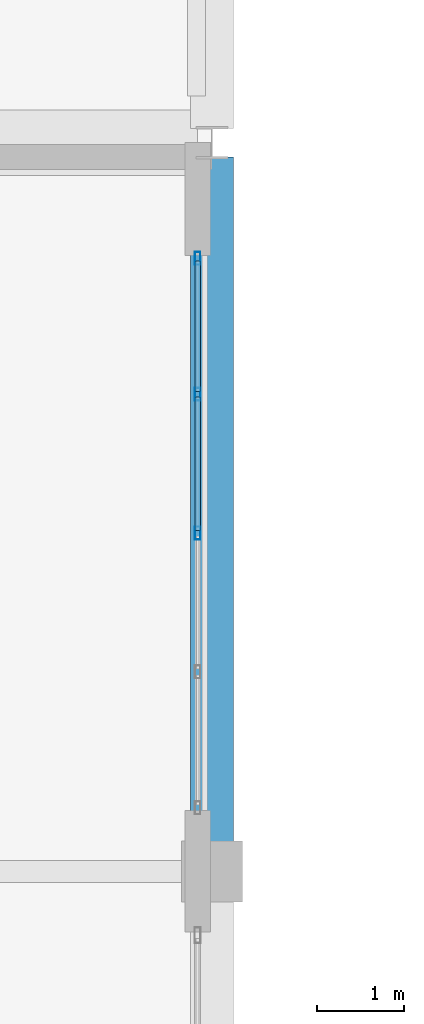
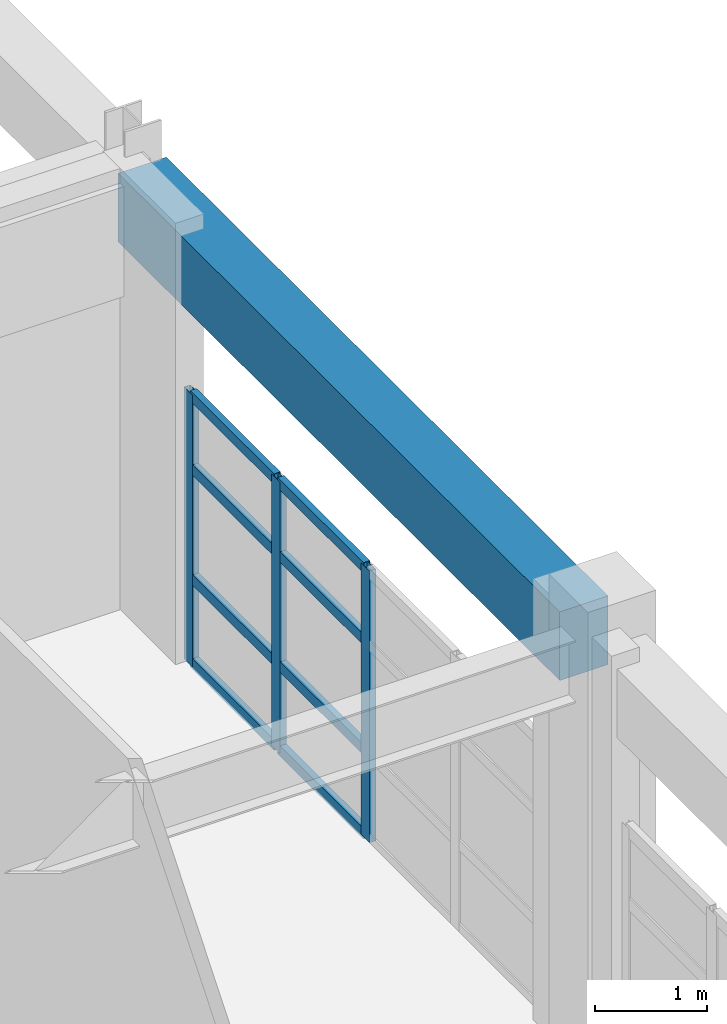
# One storey, part 22 of 103: 11 members, 1 beam, 1 element without a shape of its own.
"""IFC4 building model written with IfcOpenShell, lengths in metres."""

from ifc_helpers import new_model, si_unit, direction, frame, origin, origin_2d, place, context, subcontext, project, spatial, rectangle, hollow_rectangle, extrude, material, layer, layer_set, material_profile, profile_set, type_object, element, aggregate, save


model = new_model("IFC4")

# Units and contexts
model_context = context("Model", 3, precision=1e-05, world=origin(), true_north=direction((0.0, 1.0)))
body_context = subcontext(model_context, "Body", "Model", "MODEL_VIEW")
ifc_project = project(units=[si_unit("LENGTHUNIT", "METRE"), si_unit("AREAUNIT", "SQUARE_METRE"), si_unit("VOLUMEUNIT", "CUBIC_METRE"), si_unit("PLANEANGLEUNIT", "RADIAN"), si_unit("MASSUNIT", "GRAM", prefix="KILO")], contexts=[model_context])

# Site, building, storey
site_placement = place(None, origin())
site = spatial("IfcSite", under=ifc_project, at=site_placement, CompositionType="ELEMENT")
building_placement = place(site_placement, origin())
building = spatial("IfcBuilding", under=site, at=building_placement, Name="Quendrovan Civic Courthouse", CompositionType="ELEMENT")
storey_placement = place(building_placement, frame((0.0, 0.0, 15.300048828125)))
storey = spatial("IfcBuildingStorey", under=building, at=storey_placement, Name="L04", CompositionType="ELEMENT", Elevation=15.300048828125)

# Beam
ifc_material_1 = material(Name="Concrete C40/50", Category="concrete")
ifc_material_profile_1 = material_profile(ifc_material_1, rectangle(XDim=0.5, YDim=0.75, at=origin_2d()), Name="RC-BM-500x750")
ifc_profile_set_1 = profile_set([ifc_material_profile_1], Name="Concrete C40/50")
beam_type = type_object("IfcBeamType", Name="BM-RC750", PredefinedType="SPANDREL", material=ifc_profile_set_1)
beam_placement = place(storey_placement, frame((16.800048828125, 65.1298828125, 4.284912109375), z_axis=(0.0, 1.0, 0.0), x_axis=(-1.0, 0.0, 0.0)))
element("IfcBeam", 1, at=beam_placement, inside=storey, type_object=beam_type, Name="L04 Girder Y0959", PredefinedType="SPANDREL", context=body_context, shape_type="SweptSolid", body=[
    extrude(rectangle(XDim=0.5, YDim=0.75, at=origin_2d()), origin(), (0.0, 0.0, 1.0), 7.904052734375),
])

# Curtain wall, members
ifc_material_2 = material(Name="Bronze anodised aluminium and low-E glass", Category="aluminium")
ifc_layer = layer(ifc_material_2, 0.179931640625, Name="Bronze anodised aluminium and low-E glass")
ifc_layer_set = layer_set([ifc_layer], Name="Bronze anodised aluminium and low-E glass")
curtain_wall_type = type_object("IfcCurtainWallType", Name="CW-U64x30", PredefinedType="USERDEFINED", material=ifc_layer_set)
curtain_wall_placement = place(storey_placement, origin())
curtain_wall = element("IfcCurtainWall", 2, at=curtain_wall_placement, inside=storey, type_object=curtain_wall_type, Name="L04 Unitised Hurricane Curtain Wall CW-149", ObjectType="UNITISED CURTAIN WALL", PredefinedType="USERDEFINED")
ifc_material_3 = material(Name="Bronze anodised aluminium", Category="aluminium")
ifc_material_profile_2 = material_profile(ifc_material_3, hollow_rectangle(XDim=0.06494140625, YDim=0.14990234375, WallThickness=0.00390625, at=origin_2d()), Name="CW-MULL-65x150")
ifc_profile_set_2 = profile_set([ifc_material_profile_2], Name="Bronze anodised aluminium")
member_type_1 = type_object("IfcMemberType", Name="CW-MULL-B", PredefinedType="MULLION", material=ifc_profile_set_2)
member_1_placement = place(storey_placement, frame((16.635009765625, 71.867431640625, 0.0), z_axis=(0.0, 0.0, 1.0), x_axis=(1.0, 0.0, 0.0)))
member_1 = element("IfcMember", 3, at=member_1_placement, type_object=member_type_1, Name="CW-149 mullion 1", PredefinedType="MULLION", context=body_context, shape_type="SweptSolid", body=[
    extrude(hollow_rectangle(XDim=0.06494140625, YDim=0.14990234375, WallThickness=0.00390625, at=origin_2d()), origin(), (0.0, 0.0, 1.0), 2.969970703125),
])
member_2_placement = place(storey_placement, frame((16.635009765625, 70.300048828125, 0.0), z_axis=(0.0, 0.0, 1.0), x_axis=(1.0, 0.0, 0.0)))
member_2 = element("IfcMember", 4, at=member_2_placement, type_object=member_type_1, Name="CW-149 mullion 2", PredefinedType="MULLION", context=body_context, shape_type="SweptSolid", body=[
    extrude(hollow_rectangle(XDim=0.06494140625, YDim=0.14990234375, WallThickness=0.00390625, at=origin_2d()), origin(), (0.0, 0.0, 1.0), 2.969970703125),
])
member_3_placement = place(storey_placement, frame((16.635009765625, 68.699951171875, 0.0), z_axis=(0.0, 0.0, 1.0), x_axis=(1.0, 0.0, 0.0)))
member_3 = element("IfcMember", 5, at=member_3_placement, type_object=member_type_1, Name="CW-149 mullion 3", PredefinedType="MULLION", context=body_context, shape_type="SweptSolid", body=[
    extrude(hollow_rectangle(XDim=0.06494140625, YDim=0.14990234375, WallThickness=0.00390625, at=origin_2d()), origin(), (0.0, 0.0, 1.0), 2.969970703125),
])
ifc_material_profile_3 = material_profile(ifc_material_3, hollow_rectangle(XDim=0.06494140625, YDim=0.114990234375, WallThickness=0.00390625, at=origin_2d()), Name="CW-TRAN-65x115")
ifc_profile_set_3 = profile_set([ifc_material_profile_3], Name="Bronze anodised aluminium")
member_type_2 = type_object("IfcMemberType", Name="CW-TRAN-B", PredefinedType="USERDEFINED", material=ifc_profile_set_3)
member_4_placement = place(storey_placement, frame((16.635009765625, 71.8349609375, 0.032470703125), z_axis=(0.0, -1.0, 0.0), x_axis=(1.0, 0.0, 0.0)))
member_4 = element("IfcMember", 6, at=member_4_placement, type_object=member_type_2, Name="CW-149 transom 1.1", ObjectType="TRANSOM", PredefinedType="USERDEFINED", context=body_context, shape_type="SweptSolid", body=[
    extrude(hollow_rectangle(XDim=0.06494140625, YDim=0.114990234375, WallThickness=0.00390625, at=origin_2d()), origin(), (0.0, 0.0, 1.0), 1.50244140625),
])
member_5_placement = place(storey_placement, frame((16.635009765625, 71.8349609375, 0.949951171875), z_axis=(0.0, -1.0, 0.0), x_axis=(1.0, 0.0, 0.0)))
member_5 = element("IfcMember", 7, at=member_5_placement, type_object=member_type_2, Name="CW-149 transom 1.2", ObjectType="TRANSOM", PredefinedType="USERDEFINED", context=body_context, shape_type="SweptSolid", body=[
    extrude(hollow_rectangle(XDim=0.06494140625, YDim=0.114990234375, WallThickness=0.00390625, at=origin_2d()), origin(), (0.0, 0.0, 1.0), 1.50244140625),
])
member_6_placement = place(storey_placement, frame((16.635009765625, 71.8349609375, 2.14990234375), z_axis=(0.0, -1.0, 0.0), x_axis=(1.0, 0.0, 0.0)))
member_6 = element("IfcMember", 8, at=member_6_placement, type_object=member_type_2, Name="CW-149 transom 1.3", ObjectType="TRANSOM", PredefinedType="USERDEFINED", context=body_context, shape_type="SweptSolid", body=[
    extrude(hollow_rectangle(XDim=0.06494140625, YDim=0.114990234375, WallThickness=0.00390625, at=origin_2d()), origin(), (0.0, 0.0, 1.0), 1.50244140625),
])
member_7_placement = place(storey_placement, frame((16.635009765625, 71.8349609375, 2.9375), z_axis=(0.0, -1.0, 0.0), x_axis=(1.0, 0.0, 0.0)))
member_7 = element("IfcMember", 9, at=member_7_placement, type_object=member_type_2, Name="CW-149 transom 1.4", ObjectType="TRANSOM", PredefinedType="USERDEFINED", context=body_context, shape_type="SweptSolid", body=[
    extrude(hollow_rectangle(XDim=0.06494140625, YDim=0.114990234375, WallThickness=0.00390625, at=origin_2d()), origin(), (0.0, 0.0, 1.0), 1.50244140625),
])
member_8_placement = place(storey_placement, frame((16.635009765625, 70.267578125, 0.032470703125), z_axis=(0.0, -1.0, 0.0), x_axis=(1.0, 0.0, 0.0)))
member_8 = element("IfcMember", 10, at=member_8_placement, type_object=member_type_2, Name="CW-149 transom 2.1", ObjectType="TRANSOM", PredefinedType="USERDEFINED", context=body_context, shape_type="SweptSolid", body=[
    extrude(hollow_rectangle(XDim=0.06494140625, YDim=0.114990234375, WallThickness=0.00390625, at=origin_2d()), origin(), (0.0, 0.0, 1.0), 1.53515625),
])
member_9_placement = place(storey_placement, frame((16.635009765625, 70.267578125, 0.949951171875), z_axis=(0.0, -1.0, 0.0), x_axis=(1.0, 0.0, 0.0)))
member_9 = element("IfcMember", 11, at=member_9_placement, type_object=member_type_2, Name="CW-149 transom 2.2", ObjectType="TRANSOM", PredefinedType="USERDEFINED", context=body_context, shape_type="SweptSolid", body=[
    extrude(hollow_rectangle(XDim=0.06494140625, YDim=0.114990234375, WallThickness=0.00390625, at=origin_2d()), origin(), (0.0, 0.0, 1.0), 1.53515625),
])
member_10_placement = place(storey_placement, frame((16.635009765625, 70.267578125, 2.14990234375), z_axis=(0.0, -1.0, 0.0), x_axis=(1.0, 0.0, 0.0)))
member_10 = element("IfcMember", 12, at=member_10_placement, type_object=member_type_2, Name="CW-149 transom 2.3", ObjectType="TRANSOM", PredefinedType="USERDEFINED", context=body_context, shape_type="SweptSolid", body=[
    extrude(hollow_rectangle(XDim=0.06494140625, YDim=0.114990234375, WallThickness=0.00390625, at=origin_2d()), origin(), (0.0, 0.0, 1.0), 1.53515625),
])
member_11_placement = place(storey_placement, frame((16.635009765625, 70.267578125, 2.9375), z_axis=(0.0, -1.0, 0.0), x_axis=(1.0, 0.0, 0.0)))
member_11 = element("IfcMember", 13, at=member_11_placement, type_object=member_type_2, Name="CW-149 transom 2.4", ObjectType="TRANSOM", PredefinedType="USERDEFINED", context=body_context, shape_type="SweptSolid", body=[
    extrude(hollow_rectangle(XDim=0.06494140625, YDim=0.114990234375, WallThickness=0.00390625, at=origin_2d()), origin(), (0.0, 0.0, 1.0), 1.53515625),
])
aggregate(curtain_wall, [member_1, member_2, member_3, member_4, member_5, member_6, member_7, member_8, member_9, member_10, member_11])

save(model, "model.ifc")
